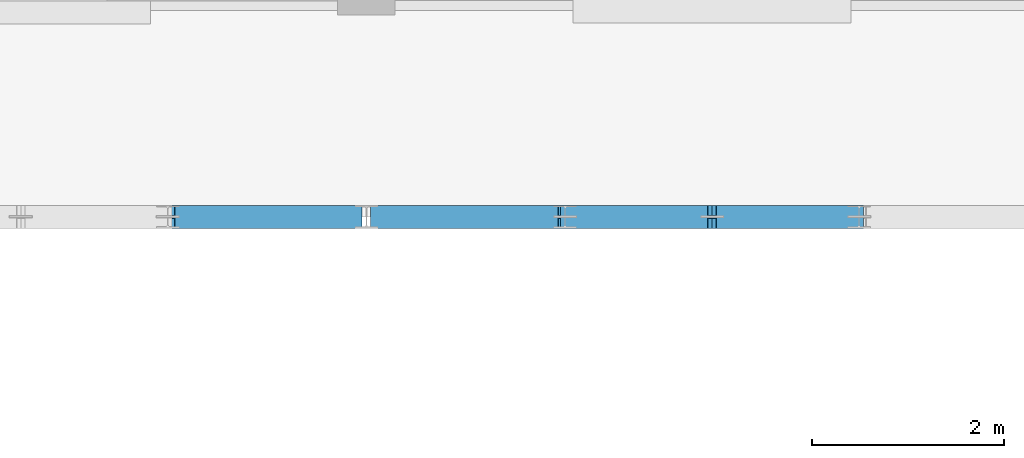
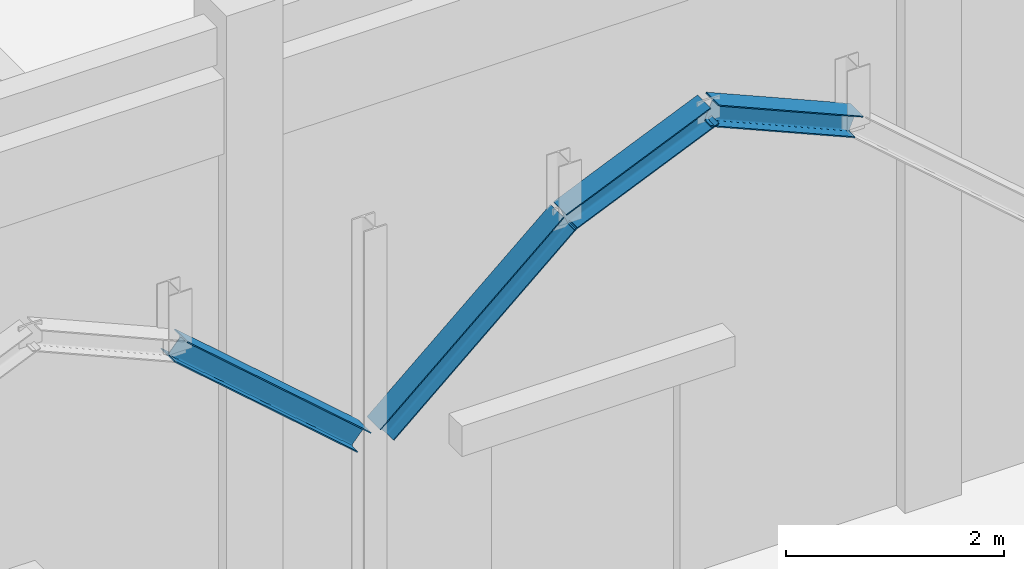
# One storey, part 17 of 138: 4 members.
"""IFC4 building model written with IfcOpenShell, lengths in metres."""

from ifc_helpers import new_model, si_unit, direction, frame, origin, origin_2d, place, context, subcontext, project, spatial, i_section, extrude, material, material_profile, profile_set, type_object, element, save


model = new_model("IFC4")

# Units and contexts
model_context = context("Model", 3, precision=1e-05, world=origin(), true_north=direction((0.0, 1.0)))
body_context = subcontext(model_context, "Body", "Model", "MODEL_VIEW")
ifc_project = project(units=[si_unit("LENGTHUNIT", "METRE"), si_unit("AREAUNIT", "SQUARE_METRE"), si_unit("VOLUMEUNIT", "CUBIC_METRE"), si_unit("PLANEANGLEUNIT", "RADIAN"), si_unit("MASSUNIT", "GRAM", prefix="KILO"), si_unit("THERMODYNAMICTEMPERATUREUNIT", "KELVIN"), si_unit("POWERUNIT", "WATT")], contexts=[model_context])

# Site, building, storey
site_placement = place(None, origin())
site = spatial("IfcSite", under=ifc_project, at=site_placement, CompositionType="ELEMENT")
building_placement = place(site_placement, origin())
building = spatial("IfcBuilding", under=site, at=building_placement, Name="Tavuni Mirador Residences", CompositionType="ELEMENT")
storey_placement = place(building_placement, origin())
storey = spatial("IfcBuildingStorey", under=building, at=storey_placement, Name="L00", CompositionType="ELEMENT", Elevation=0.0)

# Members
ifc_material = material(Name="Structural steel S355", Category="steel")
ifc_material_profile = material_profile(ifc_material, i_section(OverallWidth=0.239990234375, OverallDepth=0.22998046875, WebThickness=0.007568359375, FlangeThickness=0.011962890625, FilletRadius=0.02099609375, at=origin_2d()), Name="HEA 240", Category="steel")
ifc_profile_set = profile_set([ifc_material_profile], Name="Structural steel S355")
member_type = type_object("IfcMemberType", Name="MT-CH-HEA240", PredefinedType="CHORD", material=ifc_profile_set)
member_1_placement = place(storey_placement, frame((59.131103515625, 69.60009765625, 6.301513671875), z_axis=(0.753330300669, 0.0, -0.65764234816), x_axis=(0.0, 1.0, 0.0)))
element("IfcMember", 1, at=member_1_placement, inside=storey, type_object=member_type, Name="ARCH-HALL-S-02-H2", PredefinedType="CHORD", context=body_context, shape_type="SweptSolid", body=[
    extrude(i_section(OverallWidth=0.239990234375, OverallDepth=0.22998046875, WebThickness=0.007568359375, FlangeThickness=0.011962890625, FilletRadius=0.02099609375, at=origin_2d()), origin(), (0.0, 0.0, 1.0), 2.587158203125),
])
member_2_placement = place(storey_placement, frame((61.320068359375, 69.60009765625, 4.60009765625), z_axis=(0.753289483286, 0.0, 0.657689101606), x_axis=(0.0, 1.0, 0.0)))
element("IfcMember", 2, at=member_2_placement, inside=storey, type_object=member_type, Name="ARCH-HALL-S-03-H1", PredefinedType="CHORD", context=body_context, shape_type="SweptSolid", body=[
    extrude(i_section(OverallWidth=0.239990234375, OverallDepth=0.22998046875, WebThickness=0.007568359375, FlangeThickness=0.011962890625, FilletRadius=0.02099609375, at=origin_2d()), origin(), (0.0, 0.0, 1.0), 2.5869140625),
])
for number, where, z_axis, x_axis, name in (
    (3, (63.268798828125, 69.60009765625, 6.301513671875), (0.917921869055, 0.0, 0.39676119053), (0.0, 1.0, 0.0), "ARCH-HALL-S-03-S1"),
    (4, (64.800048828125, 69.60009765625, 6.96337890625), (0.917921869055, 0.0, -0.39676119053), (0.0, 1.0, 0.0), "ARCH-HALL-S-03-S2"),
):
    element("IfcMember", number, at=place(storey_placement, frame(where, z_axis=z_axis, x_axis=x_axis)), inside=storey, type_object=member_type, Name=name, PredefinedType="CHORD", context=body_context, shape_type="SweptSolid", body=[
        extrude(i_section(OverallWidth=0.239990234375, OverallDepth=0.22998046875, WebThickness=0.007568359375, FlangeThickness=0.011962890625, FilletRadius=0.02099609375, at=origin_2d()), origin(), (0.0, 0.0, 1.0), 1.668212890625),
    ])

save(model, "model.ifc")
